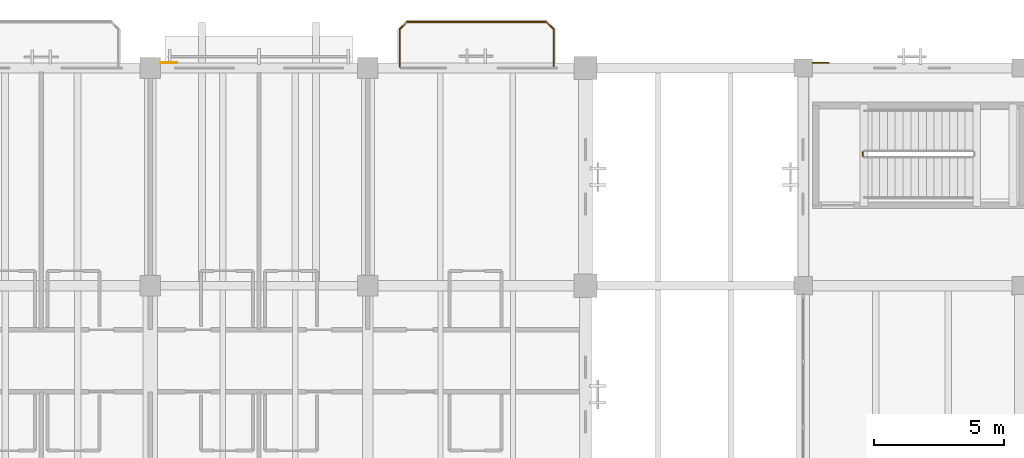
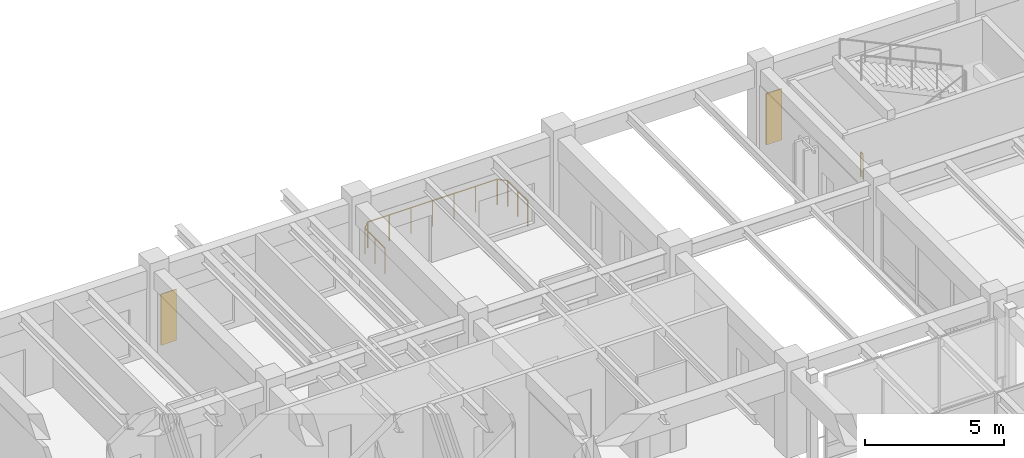
# One storey, part 122 of 132: 2 coverings, 2 railings.
"""IFC4 building model written with IfcOpenShell, lengths in metres."""

from ifc_helpers import new_model, si_unit, direction, frame, origin, origin_2d, place, context, subcontext, project, spatial, polyline, circle, outline, extrude, material, layer, layer_set, type_object, element, save


model = new_model("IFC4")

# Units and contexts
model_context = context("Model", 3, precision=1e-05, world=origin(), true_north=direction((0.0, 1.0)))
body_context = subcontext(model_context, "Body", "Model", "MODEL_VIEW")
ifc_project = project(units=[si_unit("LENGTHUNIT", "METRE"), si_unit("AREAUNIT", "SQUARE_METRE"), si_unit("VOLUMEUNIT", "CUBIC_METRE"), si_unit("PLANEANGLEUNIT", "RADIAN"), si_unit("MASSUNIT", "GRAM", prefix="KILO")], contexts=[model_context])

# Site, building, storey
site_placement = place(None, origin())
site = spatial("IfcSite", under=ifc_project, at=site_placement, CompositionType="ELEMENT")
building_placement = place(site_placement, origin())
building = spatial("IfcBuilding", under=site, at=building_placement, Name="Cumbredor Promenade Congress Hotel", CompositionType="ELEMENT")
storey_placement = place(building_placement, frame((0.0, 0.0, 7.56005859375)))
storey = spatial("IfcBuildingStorey", under=building, at=storey_placement, Name="L02", CompositionType="ELEMENT", Elevation=7.56005859375)

# Covering
ifc_material_1 = material(Name="Precast concrete C40/50", Category="concrete")
ifc_layer_1 = layer(ifc_material_1, 0.044921875, Name="Precast concrete C40/50", Category="concrete")
ifc_layer_set_1 = layer_set([ifc_layer_1], Name="Precast concrete C40/50")
covering_type_1 = type_object("IfcCoveringType", Name="Board-Formed Architectural Cladding Panel 45mm", PredefinedType="CLADDING", material=ifc_layer_set_1)
covering_1_placement = place(storey_placement, origin())
element("IfcCovering", 1, at=covering_1_placement, inside=storey, type_object=covering_type_1, Name="L02 Facade Stone Cladding Pier 112", PredefinedType="CLADDING", context=body_context, shape_type="SweptSolid", body=[
    extrude(outline(polyline([(92.7509765625, 117.77490234375), (93.40087890625, 117.77490234375), (93.40087890625, 117.820068359375), (92.7509765625, 117.820068359375), (92.7509765625, 117.77490234375)])), origin(), (0.0, 0.0, 1.0), 2.25),
])

# Railings
ifc_material_2 = material(Name="Brushed stainless steel", Category="steel")
railing_type_1 = type_object("IfcRailingType", Name="Interior Void & Stair Guardrail GR-1100", PredefinedType="GUARDRAIL", material=ifc_material_2)
railing_1_placement = place(storey_placement, frame((94.699951171875, 114.199951171875, 0.0)))
element("IfcRailing", 2, at=railing_1_placement, inside=storey, type_object=railing_type_1, Name="L02 ST-15 stair guard 4", PredefinedType="GUARDRAIL", context=body_context, shape_type="SweptSolid", body=[
    extrude(circle(Radius=0.02392578125, at=origin_2d()), frame((0.0, 0.0, 1.09619140625), z_axis=(0.0, 1.0, 0.0), x_axis=(-1.0, 0.0, 0.0)), (0.0, 0.0, 1.0), 0.150146484375),
    extrude(circle(Radius=0.02099609375, at=origin_2d()), origin(), (0.0, 0.0, 1.0), 1.072021484375),
    extrude(circle(Radius=0.02099609375, at=origin_2d()), frame((0.0, 0.150146484375, 0.0)), (0.0, 0.0, 1.0), 1.072021484375),
])
railing_type_2 = type_object("IfcRailingType", Name="Sky Garden Glass-and-Steel Balustrade BAL-1150", PredefinedType="BALUSTRADE", material=ifc_material_2)
railing_2_placement = place(storey_placement, frame((76.830078125, 117.64990234375, 0.0)))
element("IfcRailing", 3, at=railing_2_placement, inside=storey, type_object=railing_type_2, Name="L02 Veranda Balcony Balustrade 008", PredefinedType="BALUSTRADE", context=body_context, shape_type="SweptSolid", body=[
    extrude(circle(Radius=0.02392578125, at=origin_2d()), frame((0.0, 0.0, 1.1259765625), z_axis=(0.0, 1.0, 0.0), x_axis=(-1.0, 0.0, 0.0)), (0.0, 0.0, 1.0), 1.440185546875),
    extrude(circle(Radius=0.02392578125, at=origin_2d()), frame((0.0, 1.440185546875, 1.1259765625), z_axis=(0.707106781187, 0.707106781187, 0.0), x_axis=(-0.707106781187, 0.707106781187, 0.0)), (0.0, 0.0, 1.0), 0.39599609375),
    extrude(circle(Radius=0.02392578125, at=origin_2d()), frame((0.280029296875, 1.72021484375, 1.1259765625), z_axis=(1.0, 0.0, 0.0), x_axis=(0.0, 1.0, 0.0)), (0.0, 0.0, 1.0), 5.3798828125),
    extrude(circle(Radius=0.02392578125, at=origin_2d()), frame((5.659912109375, 1.72021484375, 1.1259765625), z_axis=(0.707106781187, -0.707106781187, 0.0), x_axis=(0.707106781187, 0.707106781187, 0.0)), (0.0, 0.0, 1.0), 0.39599609375),
    extrude(circle(Radius=0.02392578125, at=origin_2d()), frame((5.93994140625, 1.440185546875, 1.1259765625), z_axis=(0.0, -1.0, 0.0), x_axis=(1.0, 0.0, 0.0)), (0.0, 0.0, 1.0), 1.440185546875),
    extrude(circle(Radius=0.02099609375, at=origin_2d()), origin(), (0.0, 0.0, 1.0), 1.101806640625),
    extrude(circle(Radius=0.02099609375, at=origin_2d()), frame((0.0, 0.72021484375, 0.0)), (0.0, 0.0, 1.0), 1.101806640625),
    extrude(circle(Radius=0.02099609375, at=origin_2d()), frame((0.0, 1.440185546875, 0.0)), (0.0, 0.0, 1.0), 1.101806640625),
    extrude(circle(Radius=0.02099609375, at=origin_2d()), frame((0.280029296875, 1.72021484375, 0.0)), (0.0, 0.0, 1.0), 1.101806640625),
    extrude(circle(Radius=0.02099609375, at=origin_2d()), frame((1.1767578125, 1.72021484375, 0.0)), (0.0, 0.0, 1.0), 1.101806640625),
    extrude(circle(Radius=0.02099609375, at=origin_2d()), frame((2.0732421875, 1.72021484375, 0.0)), (0.0, 0.0, 1.0), 1.101806640625),
    extrude(circle(Radius=0.02099609375, at=origin_2d()), frame((2.969970703125, 1.72021484375, 0.0)), (0.0, 0.0, 1.0), 1.101806640625),
    extrude(circle(Radius=0.02099609375, at=origin_2d()), frame((3.86669921875, 1.72021484375, 0.0)), (0.0, 0.0, 1.0), 1.101806640625),
    extrude(circle(Radius=0.02099609375, at=origin_2d()), frame((4.76318359375, 1.72021484375, 0.0)), (0.0, 0.0, 1.0), 1.101806640625),
    extrude(circle(Radius=0.02099609375, at=origin_2d()), frame((5.659912109375, 1.72021484375, 0.0)), (0.0, 0.0, 1.0), 1.101806640625),
    extrude(circle(Radius=0.02099609375, at=origin_2d()), frame((5.93994140625, 1.440185546875, 0.0)), (0.0, 0.0, 1.0), 1.101806640625),
    extrude(circle(Radius=0.02099609375, at=origin_2d()), frame((5.93994140625, 0.72021484375, 0.0)), (0.0, 0.0, 1.0), 1.101806640625),
    extrude(circle(Radius=0.02099609375, at=origin_2d()), frame((5.93994140625, 0.0, 0.0)), (0.0, 0.0, 1.0), 1.101806640625),
])

# Covering
ifc_material_3 = material(Name="Volcanic andesite ashlar cladding", Category="masonry")
ifc_layer_2 = layer(ifc_material_3, 0.034912109375, Name="Volcanic andesite ashlar cladding", Category="masonry")
ifc_layer_set_2 = layer_set([ifc_layer_2], Name="Volcanic andesite ashlar cladding")
covering_type_2 = type_object("IfcCoveringType", Name="Volcanic Andesite Ashlar Rainscreen Cladding 35mm", PredefinedType="CLADDING", material=ifc_layer_set_2)
covering_2_placement = place(storey_placement, origin())
element("IfcCovering", 4, at=covering_2_placement, inside=storey, type_object=covering_type_2, Name="L02 Facade Stone Cladding Pier 127", PredefinedType="CLADDING", context=body_context, shape_type="SweptSolid", body=[
    extrude(outline(polyline([(67.60107421875, 117.77490234375), (68.2509765625, 117.77490234375), (68.2509765625, 117.81005859375), (67.60107421875, 117.81005859375), (67.60107421875, 117.77490234375)])), origin(), (0.0, 0.0, 1.0), 2.25),
])

save(model, "model.ifc")
